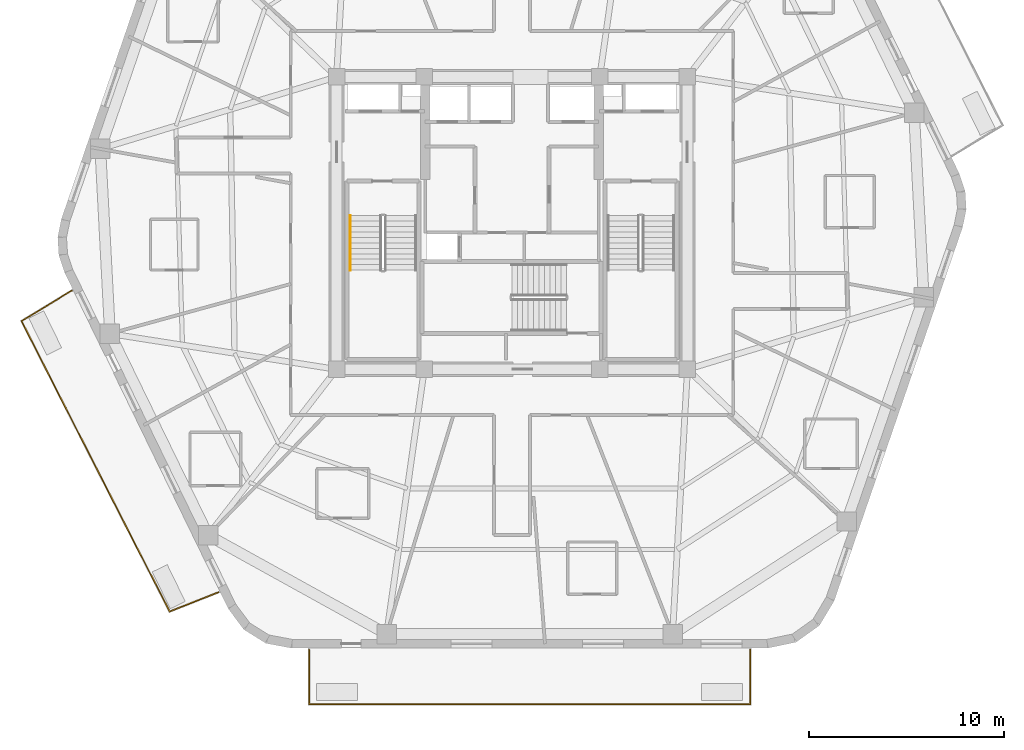
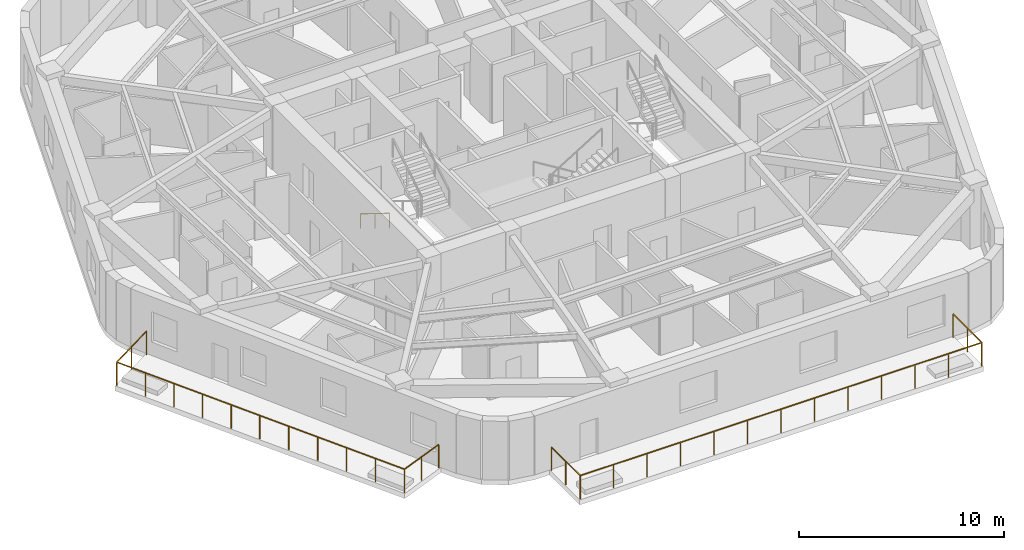
# One storey, part 8 of 10: 3 railings.
"""IFC4 building model written with IfcOpenShell, lengths in metres."""

import ifcopenshell
import ifcopenshell.guid

model = None  # the IFC model being written
_history = None  # IfcOwnerHistory: only IFC2X3 demands one
_inside = {}  # id of a spatial element -> (the spatial element, [elements in it])
_under = {}  # id of a project, library or spatial element -> (it, [spatial elements below it])
_declared = {}  # id of a project -> (the project, [libraries it declares])
_typed = {}  # id of a type object -> (the type object, [elements of that type])
_made_of = {}  # id of a material, layer set ... -> (it, [elements and type objects made of it])


def new_model(schema):
    """Start an empty IFC model of exactly this schema.

    Asked for "IFC4X3", IfcOpenShell would pick the latest addendum, in which some entities
    have other attributes; the version numbers below select the first issue.
    IFC2X3 requires an IfcOwnerHistory on every rooted entity: one is made here for all.
    """
    global model, _history
    if schema == "IFC4X3":
        model = ifcopenshell.file(schema_version=(4, 3, 0, 0))
    else:
        model = ifcopenshell.file(schema=schema)
    _inside.clear()
    _under.clear()
    _declared.clear()
    _typed.clear()
    _made_of.clear()
    _history = None
    if model.schema == "IFC2X3":
        org = make("IfcOrganization", Name="unknown")
        user = make(
            "IfcPersonAndOrganization",
            ThePerson=make("IfcPerson", FamilyName="unknown"),
            TheOrganization=org,
        )
        app = make(
            "IfcApplication",
            ApplicationDeveloper=org,
            Version="unknown",
            ApplicationFullName="unknown",
            ApplicationIdentifier="unknown",
        )
        _history = make(
            "IfcOwnerHistory",
            OwningUser=user,
            OwningApplication=app,
            ChangeAction="ADDED",
            CreationDate=0,
        )
    return model


def make(cls, **values):
    """One entity of the class cls with the attributes given. An attribute that is None is left unset."""
    return model.create_entity(
        cls, **{name: value for name, value in values.items() if value is not None}
    )


def rooted(cls, **values):
    """An entity with a GlobalId (a new one), such as an element, a storey or a relation."""
    return make(cls, GlobalId=ifcopenshell.guid.new(), OwnerHistory=_history, **values)


def si_unit(unit_type, name, prefix=None):
    """IfcSIUnit, for example si_unit("LENGTHUNIT", "METRE", prefix="MILLI")."""
    return make("IfcSIUnit", UnitType=unit_type, Prefix=prefix, Name=name)


def assignment(units):
    """IfcUnitAssignment: the units of a project."""
    return None if units is None else make("IfcUnitAssignment", Units=units)


def point(xyz):
    """IfcCartesianPoint."""
    return None if xyz is None else make("IfcCartesianPoint", Coordinates=xyz)


def direction(xyz):
    """IfcDirection."""
    return None if xyz is None else make("IfcDirection", DirectionRatios=xyz)


def frame(location, z_axis=None, x_axis=None):
    """IfcAxis2Placement3D, a coordinate frame: its origin and axes. An axis left out is left unset."""
    return make(
        "IfcAxis2Placement3D",
        Location=point(location),
        Axis=direction(z_axis),
        RefDirection=direction(x_axis),
    )


def frame_2d(location, x_axis=None):
    """IfcAxis2Placement2D, a coordinate frame in the plane: its origin and x axis."""
    return make(
        "IfcAxis2Placement2D", Location=point(location), RefDirection=direction(x_axis)
    )


def origin():
    """The frame at (0, 0, 0) with its axes left unset."""
    return frame((0.0, 0.0, 0.0))


def origin_2d():
    """The frame at (0, 0) in the plane with its x axis left unset."""
    return frame_2d((0.0, 0.0))


def place(relative_to, where):
    """IfcLocalPlacement: puts the frame where relative to a parent placement (None: the world)."""
    return make(
        "IfcLocalPlacement", PlacementRelTo=relative_to, RelativePlacement=where
    )


def context(
    kind, dimensions, precision=None, world=None, true_north=None, identifier=None
):
    """IfcGeometricRepresentationContext, for example the 3D "Model" context."""
    return make(
        "IfcGeometricRepresentationContext",
        ContextIdentifier=identifier,
        ContextType=kind,
        CoordinateSpaceDimension=dimensions,
        Precision=precision,
        WorldCoordinateSystem=world,
        TrueNorth=true_north,
    )


def subcontext(parent, identifier, kind, view, scale=None):
    """IfcGeometricRepresentationSubContext, for example "Body" below "Model"."""
    return make(
        "IfcGeometricRepresentationSubContext",
        ContextIdentifier=identifier,
        ContextType=kind,
        ParentContext=parent,
        TargetScale=scale,
        TargetView=view,
    )


def project(units=None, contexts=None):
    """IfcProject with its units and contexts."""
    return rooted(
        "IfcProject",
        Name="project",
        RepresentationContexts=contexts,
        UnitsInContext=assignment(units),
    )


def spatial(cls, under=None, at=None, **own):
    """A site, building, storey or space (cls), placed at a placement, below another one or the project."""
    s = rooted(cls, ObjectPlacement=at, **own)
    if under is not None:
        _under.setdefault(under.id(), (under, []))[1].append(s)
    return s


def profile(cls, at=None, kind="AREA", **sizes):
    """A parametric profile (cls). Its sizes go by their IFC names, for example OverallWidth=200.0."""
    return make(cls, ProfileType=kind, Position=at, **sizes)


def rectangle(**sizes):
    """IfcRectangleProfileDef."""
    return profile("IfcRectangleProfileDef", **sizes)


def extrude(swept, where, along, depth):
    """IfcExtrudedAreaSolid: the profile swept, set in the frame where, extruded along a direction by depth."""
    return make(
        "IfcExtrudedAreaSolid",
        SweptArea=swept,
        Position=where,
        ExtrudedDirection=direction(along),
        Depth=depth,
    )


def shape(context_of_items, identifier, shape_type, items):
    """IfcShapeRepresentation: the items that make up one representation, for example the "Body"."""
    return make(
        "IfcShapeRepresentation",
        ContextOfItems=context_of_items,
        RepresentationIdentifier=identifier,
        RepresentationType=shape_type,
        Items=items,
    )


def material(Name=None, Category=None):
    """IfcMaterial."""
    return make("IfcMaterial", Name=Name, Category=Category)


def layer(
    of_material, thickness, ventilated=None, Name=None, Category=None, Priority=None
):
    """IfcMaterialLayer: one layer of a wall or slab, of a material (None: an air gap)."""
    return make(
        "IfcMaterialLayer",
        Material=of_material,
        LayerThickness=thickness,
        IsVentilated=ventilated,
        Name=Name,
        Category=Category,
        Priority=Priority,
    )


def layer_set(layers, Name=None):
    """IfcMaterialLayerSet."""
    return make("IfcMaterialLayerSet", MaterialLayers=layers, LayerSetName=Name)


def made_of(thing, what):
    """Note that an element or type object is made of a material, layer set ...; save() writes the relation."""
    if what is not None:
        _made_of.setdefault(what.id(), (what, []))[1].append(thing)
    return thing


def type_object(cls, material=None, **own):
    """A type object (cls), such as IfcWallType, which elements share."""
    return made_of(rooted(cls, **own), material)


def element(
    cls,
    number,
    at=None,
    inside=None,
    cuts=None,
    type_object=None,
    material=None,
    context=None,
    identifier="Body",
    shape_type=None,
    held_by="IfcProductDefinitionShape",
    body=None,
    shapes=None,
    **own,
):
    """One element of the class cls, such as IfcWall. Its Tag is "e" and its number.

    at: its placement. inside: the storey or other place that contains it. cuts: it is an
    opening in that element (IfcRelVoidsElement). A single representation is given by context,
    identifier, shape_type and body (its items); several are given by shapes. held_by: the class
    of the entity that holds the representations. save() writes the other relations.
    """
    e = rooted(cls, Tag="e%d" % number, ObjectPlacement=at, **own)
    if body is not None:
        shapes = [shape(context, identifier, shape_type, body)]
    if shapes is not None:
        e.Representation = make(held_by, Representations=shapes)
    if inside is not None:
        _inside.setdefault(inside.id(), (inside, []))[1].append(e)
    if cuts is not None:
        rooted(
            "IfcRelVoidsElement", RelatingBuildingElement=cuts, RelatedOpeningElement=e
        )
    if type_object is not None:
        _typed.setdefault(type_object.id(), (type_object, []))[1].append(e)
    return made_of(e, material)


def aggregate(whole, parts):
    """IfcRelAggregates: a whole, such as a stair, and the parts it consists of."""
    return rooted("IfcRelAggregates", RelatingObject=whole, RelatedObjects=parts)


def save(model, path):
    """Write the relations noted so far, then the file.

    IfcRelAggregates (storeys below a building ...), IfcRelContainedInSpatialStructure (elements
    in a storey), IfcRelDefinesByType, IfcRelAssociatesMaterial and IfcRelDeclares: one each for
    every whole, place, type object, material and project.
    """
    for whole, parts in _under.values():
        aggregate(whole, parts)
    for where, things in _inside.values():
        rooted(
            "IfcRelContainedInSpatialStructure",
            RelatedElements=things,
            RelatingStructure=where,
        )
    for kind, things in _typed.values():
        rooted("IfcRelDefinesByType", RelatedObjects=things, RelatingType=kind)
    for what, things in _made_of.values():
        rooted("IfcRelAssociatesMaterial", RelatedObjects=things, RelatingMaterial=what)
    for by, libraries in _declared.values():
        rooted("IfcRelDeclares", RelatingContext=by, RelatedDefinitions=libraries)
    model.write(path)


model = new_model("IFC4")

# Units and contexts
model_context = context("Model", 3, precision=1e-05, world=origin(), true_north=direction((0.0, 1.0)))
body_context = subcontext(model_context, "Body", "Model", "MODEL_VIEW")
ifc_project = project(units=[si_unit("LENGTHUNIT", "METRE"), si_unit("AREAUNIT", "SQUARE_METRE"), si_unit("VOLUMEUNIT", "CUBIC_METRE"), si_unit("PLANEANGLEUNIT", "RADIAN"), si_unit("MASSUNIT", "GRAM", prefix="KILO")], contexts=[model_context])

# Site, building, storey
site_placement = place(None, origin())
site = spatial("IfcSite", under=ifc_project, at=site_placement, CompositionType="ELEMENT")
building_placement = place(site_placement, origin())
building = spatial("IfcBuilding", under=site, at=building_placement, Name="Kilnhurst Terrace Hotel", CompositionType="ELEMENT")
storey_placement = place(building_placement, frame((0.0, 0.0, 248.300048828125)))
storey = spatial("IfcBuildingStorey", under=building, at=storey_placement, Name="L62", CompositionType="ELEMENT", Elevation=248.300048828125)

# Railings
ifc_material_1 = material(Name="Laminated SentryGlas and Stainless Steel AISI 316L Balustrade", Category="steel")
ifc_layer_1 = layer(ifc_material_1, 0.070068359375, Name="Laminated SentryGlas and Stainless Steel AISI 316L Balustrade")
ifc_layer_set_1 = layer_set([ifc_layer_1], Name="Laminated SentryGlas and Stainless Steel AISI 316L Balustrade")
railing_type_1 = type_object("IfcRailingType", Name="RLG-BAL-1420", PredefinedType="BALUSTRADE", material=ifc_layer_set_1)
railing_1_placement = place(storey_placement, frame((-15.0546875, -18.933349609375, 0.0)))
element("IfcRailing", 1, at=railing_1_placement, inside=storey, type_object=railing_type_1, Name="L62 Exterior Terrace Guardrail BAL-L2A.1", PredefinedType="BALUSTRADE", context=body_context, shape_type="SweptSolid", body=[
    extrude(rectangle(XDim=0.048095703125, YDim=0.048095703125, at=origin_2d()), frame((0.0, 0.0, 1.39599609375), z_axis=(-0.929913162101, -0.367779160574, 0.0), x_axis=(0.367779160574, -0.929913162101, 0.0)), (0.0, 0.0, 1.0), 2.694580078125),
    extrude(rectangle(XDim=0.048095703125, YDim=0.048095703125, at=origin_2d()), frame((-2.505615234375, -0.990966796875, 1.39599609375), z_axis=(-0.455129479154, 0.890425267614, 0.0), x_axis=(-0.890425267614, -0.455129479154, 0.0)), (0.0, 0.0, 1.0), 8.4072265625),
    extrude(rectangle(XDim=0.048095703125, YDim=0.048095703125, at=origin_2d()), frame((-6.33203125, 6.4951171875, 1.39599609375), z_axis=(-0.45338853952, 0.891312982196, 0.0), x_axis=(-0.891312982196, -0.45338853952, 0.0)), (0.0, 0.0, 1.0), 8.320068359375),
    extrude(rectangle(XDim=0.048095703125, YDim=0.048095703125, at=origin_2d()), frame((-10.104248046875, 13.910888671875, 1.39599609375), z_axis=(0.854990626614, 0.518643450168, 0.0), x_axis=(-0.518643450168, 0.854990626614, 0.0)), (0.0, 0.0, 1.0), 3.008056640625),
    extrude(rectangle(XDim=0.0419921875, YDim=0.0419921875, at=origin_2d()), origin(), (0.0, 0.0, 1.0), 1.371826171875),
    extrude(rectangle(XDim=0.0419921875, YDim=0.0419921875, at=origin_2d()), frame((-1.2529296875, -0.49560546875, 0.0)), (0.0, 0.0, 1.0), 1.371826171875),
    extrude(rectangle(XDim=0.0419921875, YDim=0.0419921875, at=origin_2d()), frame((-2.505615234375, -0.990966796875, 0.0)), (0.0, 0.0, 1.0), 1.371826171875),
    extrude(rectangle(XDim=0.0419921875, YDim=0.0419921875, at=origin_2d()), frame((-3.27099609375, 0.50634765625, 0.0)), (0.0, 0.0, 1.0), 1.371826171875),
    extrude(rectangle(XDim=0.0419921875, YDim=0.0419921875, at=origin_2d()), frame((-4.0361328125, 2.00341796875, 0.0)), (0.0, 0.0, 1.0), 1.371826171875),
    extrude(rectangle(XDim=0.0419921875, YDim=0.0419921875, at=origin_2d()), frame((-4.801513671875, 3.500732421875, 0.0)), (0.0, 0.0, 1.0), 1.371826171875),
    extrude(rectangle(XDim=0.0419921875, YDim=0.0419921875, at=origin_2d()), frame((-5.566650390625, 4.997802734375, 0.0)), (0.0, 0.0, 1.0), 1.371826171875),
    extrude(rectangle(XDim=0.0419921875, YDim=0.0419921875, at=origin_2d()), frame((-6.33203125, 6.4951171875, 0.0)), (0.0, 0.0, 1.0), 1.371826171875),
    extrude(rectangle(XDim=0.0419921875, YDim=0.0419921875, at=origin_2d()), frame((-7.08642578125, 7.978271484375, 0.0)), (0.0, 0.0, 1.0), 1.371826171875),
    extrude(rectangle(XDim=0.0419921875, YDim=0.0419921875, at=origin_2d()), frame((-7.8408203125, 9.46142578125, 0.0)), (0.0, 0.0, 1.0), 1.371826171875),
    extrude(rectangle(XDim=0.0419921875, YDim=0.0419921875, at=origin_2d()), frame((-8.595458984375, 10.944580078125, 0.0)), (0.0, 0.0, 1.0), 1.371826171875),
    extrude(rectangle(XDim=0.0419921875, YDim=0.0419921875, at=origin_2d()), frame((-9.349853515625, 12.427734375, 0.0)), (0.0, 0.0, 1.0), 1.371826171875),
    extrude(rectangle(XDim=0.0419921875, YDim=0.0419921875, at=origin_2d()), frame((-10.104248046875, 13.910888671875, 0.0)), (0.0, 0.0, 1.0), 1.371826171875),
    extrude(rectangle(XDim=0.0419921875, YDim=0.0419921875, at=origin_2d()), frame((-8.818359375, 14.69091796875, 0.0)), (0.0, 0.0, 1.0), 1.371826171875),
    extrude(rectangle(XDim=0.0419921875, YDim=0.0419921875, at=origin_2d()), frame((-7.532470703125, 15.470947265625, 0.0)), (0.0, 0.0, 1.0), 1.371826171875),
])
railing_2_placement = place(storey_placement, frame((12.21484375, -21.8798828125, 0.0)))
element("IfcRailing", 2, at=railing_2_placement, inside=storey, type_object=railing_type_1, Name="L62 Exterior Terrace Guardrail BAL-L2B.1", PredefinedType="BALUSTRADE", context=body_context, shape_type="SweptSolid", body=[
    extrude(rectangle(XDim=0.048095703125, YDim=0.048095703125, at=origin_2d()), frame((0.0, 0.0, 1.39599609375), z_axis=(0.0, -1.0, 0.0), x_axis=(1.0, 0.0, 0.0)), (0.0, 0.0, 1.0), 2.800048828125),
    extrude(rectangle(XDim=0.048095703125, YDim=0.048095703125, at=origin_2d()), frame((0.0, -2.800048828125, 1.39599609375), z_axis=(-1.0, 0.0, 0.0), x_axis=(0.0, -1.0, 0.0)), (0.0, 0.0, 1.0), 22.62353515625),
    extrude(rectangle(XDim=0.048095703125, YDim=0.048095703125, at=origin_2d()), frame((-22.62353515625, -2.800048828125, 1.39599609375), z_axis=(0.0, 1.0, 0.0), x_axis=(-1.0, 0.0, 0.0)), (0.0, 0.0, 1.0), 2.800048828125),
    extrude(rectangle(XDim=0.0419921875, YDim=0.0419921875, at=origin_2d()), origin(), (0.0, 0.0, 1.0), 1.371826171875),
    extrude(rectangle(XDim=0.0419921875, YDim=0.0419921875, at=origin_2d()), frame((0.0, -1.39990234375, 0.0)), (0.0, 0.0, 1.0), 1.371826171875),
    extrude(rectangle(XDim=0.0419921875, YDim=0.0419921875, at=origin_2d()), frame((0.0, -2.800048828125, 0.0)), (0.0, 0.0, 1.0), 1.371826171875),
    extrude(rectangle(XDim=0.0419921875, YDim=0.0419921875, at=origin_2d()), frame((-1.88525390625, -2.800048828125, 0.0)), (0.0, 0.0, 1.0), 1.371826171875),
    extrude(rectangle(XDim=0.0419921875, YDim=0.0419921875, at=origin_2d()), frame((-3.7705078125, -2.800048828125, 0.0)), (0.0, 0.0, 1.0), 1.371826171875),
    extrude(rectangle(XDim=0.0419921875, YDim=0.0419921875, at=origin_2d()), frame((-5.65576171875, -2.800048828125, 0.0)), (0.0, 0.0, 1.0), 1.371826171875),
    extrude(rectangle(XDim=0.0419921875, YDim=0.0419921875, at=origin_2d()), frame((-7.541259765625, -2.800048828125, 0.0)), (0.0, 0.0, 1.0), 1.371826171875),
    extrude(rectangle(XDim=0.0419921875, YDim=0.0419921875, at=origin_2d()), frame((-9.426513671875, -2.800048828125, 0.0)), (0.0, 0.0, 1.0), 1.371826171875),
    extrude(rectangle(XDim=0.0419921875, YDim=0.0419921875, at=origin_2d()), frame((-11.311767578125, -2.800048828125, 0.0)), (0.0, 0.0, 1.0), 1.371826171875),
    extrude(rectangle(XDim=0.0419921875, YDim=0.0419921875, at=origin_2d()), frame((-13.197021484375, -2.800048828125, 0.0)), (0.0, 0.0, 1.0), 1.371826171875),
    extrude(rectangle(XDim=0.0419921875, YDim=0.0419921875, at=origin_2d()), frame((-15.082275390625, -2.800048828125, 0.0)), (0.0, 0.0, 1.0), 1.371826171875),
    extrude(rectangle(XDim=0.0419921875, YDim=0.0419921875, at=origin_2d()), frame((-16.9677734375, -2.800048828125, 0.0)), (0.0, 0.0, 1.0), 1.371826171875),
    extrude(rectangle(XDim=0.0419921875, YDim=0.0419921875, at=origin_2d()), frame((-18.85302734375, -2.800048828125, 0.0)), (0.0, 0.0, 1.0), 1.371826171875),
    extrude(rectangle(XDim=0.0419921875, YDim=0.0419921875, at=origin_2d()), frame((-20.73828125, -2.800048828125, 0.0)), (0.0, 0.0, 1.0), 1.371826171875),
    extrude(rectangle(XDim=0.0419921875, YDim=0.0419921875, at=origin_2d()), frame((-22.62353515625, -2.800048828125, 0.0)), (0.0, 0.0, 1.0), 1.371826171875),
    extrude(rectangle(XDim=0.0419921875, YDim=0.0419921875, at=origin_2d()), frame((-22.62353515625, -1.39990234375, 0.0)), (0.0, 0.0, 1.0), 1.371826171875),
    extrude(rectangle(XDim=0.0419921875, YDim=0.0419921875, at=origin_2d()), frame((-22.62353515625, 0.0, 0.0)), (0.0, 0.0, 1.0), 1.371826171875),
])
ifc_material_2 = material(Name="Brushed Stainless Steel AISI 304", Category="steel")
ifc_layer_2 = layer(ifc_material_2, 0.048095703125, Name="Brushed Stainless Steel AISI 304")
ifc_layer_set_2 = layer_set([ifc_layer_2], Name="Brushed Stainless Steel AISI 304")
railing_type_2 = type_object("IfcRailingType", Name="RLG-ST-HRL-900", PredefinedType="HANDRAIL", material=ifc_layer_set_2)
railing_3_placement = place(storey_placement, frame((-8.300048828125, 0.389892578125, 0.172607421875)))
element("IfcRailing", 3, at=railing_3_placement, inside=storey, type_object=railing_type_2, Name="L62 ST-1 stair handrail 1", PredefinedType="HANDRAIL", context=body_context, shape_type="SweptSolid", body=[
    extrude(rectangle(XDim=0.048095703125, YDim=0.048095703125, at=origin_2d()), frame((0.0, 0.0, 0.8759765625), z_axis=(0.0, -0.851069175582, 0.525053576669), x_axis=(1.0, 0.0, 0.0)), (0.0, 0.0, 1.0), 3.289794921875),
    extrude(rectangle(XDim=0.0419921875, YDim=0.0419921875, at=origin_2d()), origin(), (0.0, 0.0, 1.0), 0.851806640625),
    extrude(rectangle(XDim=0.0419921875, YDim=0.0419921875, at=origin_2d()), frame((0.0, -1.39990234375, 0.86376953125)), (0.0, 0.0, 1.0), 0.851806640625),
    extrude(rectangle(XDim=0.0419921875, YDim=0.0419921875, at=origin_2d()), frame((0.0, -2.7998046875, 1.727294921875)), (0.0, 0.0, 1.0), 0.851806640625),
])

save(model, "model.ifc")
